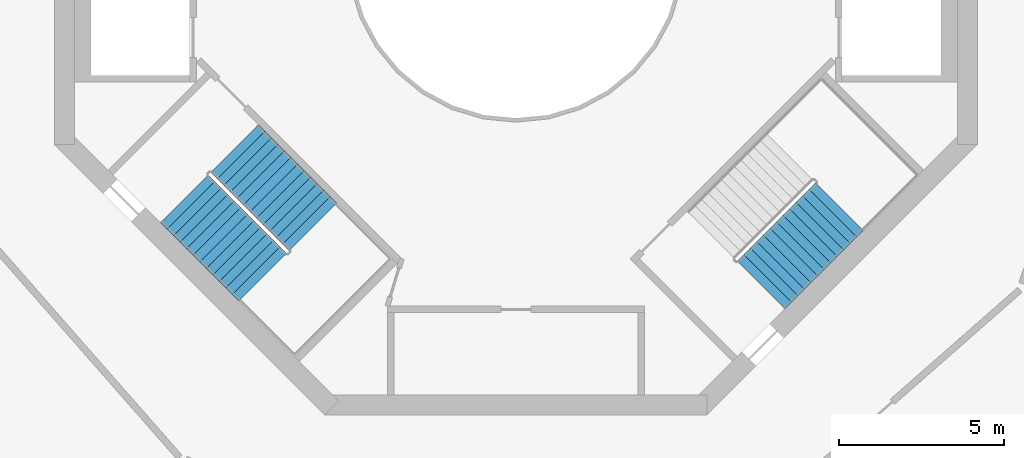
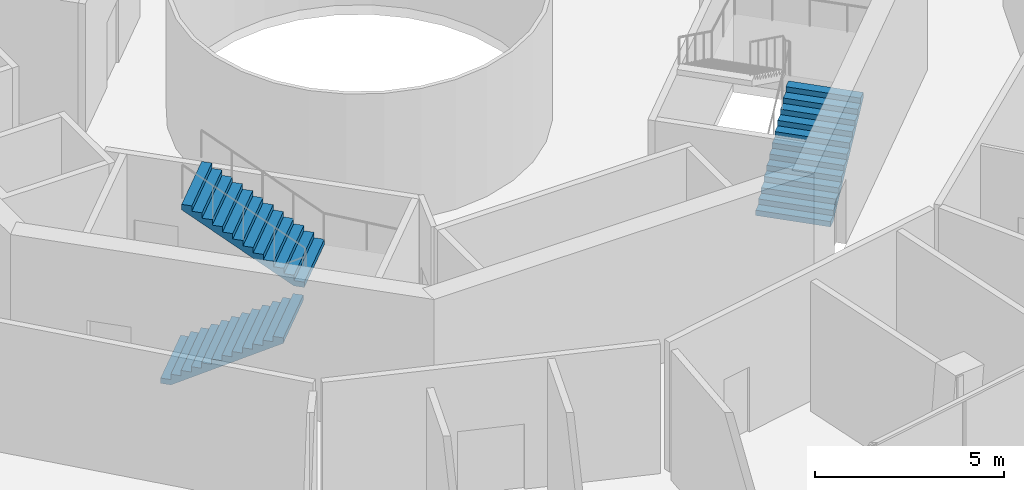
# One storey, part 15 of 17: 3 stair flights, 2 elements without a shape of their own.
"""IFC4 building model written with IfcOpenShell, lengths in metres."""

from ifc_helpers import new_model, si_unit, direction, frame, origin, place, context, subcontext, project, spatial, triangles, material, type_object, element, aggregate, save


model = new_model("IFC4")

# Units and contexts
model_context = context("Model", 3, precision=1e-05, world=origin(), true_north=direction((0.0, 1.0)))
body_context = subcontext(model_context, "Body", "Model", "MODEL_VIEW")
ifc_project = project(units=[si_unit("LENGTHUNIT", "METRE"), si_unit("AREAUNIT", "SQUARE_METRE"), si_unit("VOLUMEUNIT", "CUBIC_METRE"), si_unit("PLANEANGLEUNIT", "RADIAN"), si_unit("MASSUNIT", "GRAM", prefix="KILO")], contexts=[model_context])

# Site, building, storey
site_placement = place(None, origin())
site = spatial("IfcSite", under=ifc_project, at=site_placement, CompositionType="ELEMENT")
building_placement = place(site_placement, origin())
building = spatial("IfcBuilding", under=site, at=building_placement, Name="Verdalira Terraces Hotel", CompositionType="ELEMENT")
storey_placement = place(building_placement, frame((0.0, 0.0, 201.0)))
storey = spatial("IfcBuildingStorey", under=building, at=storey_placement, Name="L49", CompositionType="ELEMENT", Elevation=201.0)

# Stair, stair flights
ifc_material_1 = material(Name="Concrete C40", Category="concrete")
stair_type = type_object("IfcStairType", Name="Core stair 26 risers 2050 mm wide", PredefinedType="HALF_TURN_STAIR", material=ifc_material_1)
stair_1_placement = place(storey_placement, origin())
stair_1 = element("IfcStair", 1, at=stair_1_placement, inside=storey, type_object=stair_type, Name="L49 Exit stair ST2", PredefinedType="HALF_TURN_STAIR")
ifc_material_2 = material(Name="Concrete C40", Category="concrete")
stair_flight_type = type_object("IfcStairFlightType", Name="Core stair flight 26 risers 2050 mm wide", PredefinedType="STRAIGHT", material=ifc_material_2)
stair_flight_1_placement = place(storey_placement, frame((-10.058594, -7.442383, 0.0), z_axis=(0.0, 0.0, 1.0), x_axis=(0.707106781, -0.707106781, 0.0)))
stair_flight_1 = element("IfcStairFlight", 2, at=stair_flight_1_placement, type_object=stair_flight_type, Name="ST2 flight 1", NumberOfRisers=13, NumberOfTreads=12, PredefinedType="STRAIGHT", RiserHeight=0.173076923, TreadLength=0.28, context=body_context, shape_type="Tessellation", body=[
    triangles([(0.0, 1.025024, 0.0), (0.285156, 1.025024, 0.0), (3.360107, 1.025024, 1.900635), (0.0, -1.025024, 0.0), (0.285156, -1.025024, 0.0), (3.360107, -1.025024, 1.900635), (3.360107, 1.025024, 2.076904), (3.080078, 1.025024, 2.076904), (3.360107, -1.025024, 2.076904), (3.080078, -1.025024, 2.076904), (3.080078, 1.025024, 1.903809), (3.080078, -1.025024, 1.903809), (2.800049, 1.025024, 1.903809), (2.800049, -1.025024, 1.903809), (2.800049, 1.025024, 1.730713), (2.800049, -1.025024, 1.730713), (2.52002, 1.025024, 1.730713), (2.52002, 1.025024, 1.557617), (2.52002, -1.025024, 1.730713), (2.52002, -1.025024, 1.557617), (2.23999, 1.025024, 1.557617), (2.23999, 1.025024, 1.384521), (2.23999, -1.025024, 1.557617), (2.23999, -1.025024, 1.384521), (1.959961, 1.025024, 1.384521), (1.959961, 1.025024, 1.211426), (1.959961, -1.025024, 1.384521), (1.959961, -1.025024, 1.211426), (1.679932, 1.025024, 1.211426), (1.679932, 1.025024, 1.038574), (1.679932, -1.025024, 1.211426), (1.679932, -1.025024, 1.038574), (1.399902, 1.025024, 1.038574), (1.399902, 1.025024, 0.865479), (1.399902, -1.025024, 1.038574), (1.399902, -1.025024, 0.865479), (1.120117, 1.025024, 0.865479), (1.120117, 1.025024, 0.692383), (1.120117, -1.025024, 0.865479), (1.120117, -1.025024, 0.692383), (0.840088, 1.025024, 0.692383), (0.840088, 1.025024, 0.519287), (0.840088, -1.025024, 0.692383), (0.840088, -1.025024, 0.519287), (0.560059, 1.025024, 0.519287), (0.560059, 1.025024, 0.346191), (0.560059, -1.025024, 0.519287), (0.560059, -1.025024, 0.346191), (0.280029, 1.025024, 0.346191), (0.280029, 1.025024, 0.173096), (0.280029, -1.025024, 0.346191), (0.280029, -1.025024, 0.173096), (0.0, 1.025024, 0.173096), (0.0, -1.025024, 0.173096), (0.0, -0.96096, 0.0), (0.0, -0.96096, 0.173096), (0.0, -0.896896, 0.0), (0.0, -0.896896, 0.173096), (0.0, -0.832832, 0.0), (0.0, -0.832832, 0.173096), (0.0, -0.768768, 0.0), (0.0, -0.768768, 0.173096), (0.0, -0.704704, 0.0), (0.0, -0.704704, 0.173096), (0.0, -0.64064, 0.0), (0.0, -0.64064, 0.173096), (0.0, -0.576576, 0.0), (0.0, -0.576576, 0.173096), (0.0, -0.512512, 0.0), (0.0, -0.512512, 0.173096), (0.0, -0.448448, 0.0), (0.0, -0.448448, 0.173096), (0.0, -0.384384, 0.0), (0.0, -0.384384, 0.173096), (0.0, -0.32032, 0.0), (0.0, -0.32032, 0.173096), (0.0, -0.256256, 0.0), (0.0, -0.256256, 0.173096), (0.0, -0.192192, 0.0), (0.0, -0.192192, 0.173096), (0.0, -0.128128, 0.0), (0.0, -0.128128, 0.173096), (0.0, -0.064064, 0.0), (0.0, -0.064064, 0.173096), (0.0, 0.0, 0.0), (0.0, 0.0, 0.173096), (0.0, 0.064064, 0.0), (0.0, 0.064064, 0.173096), (0.0, 0.128128, 0.0), (0.0, 0.128128, 0.173096), (0.0, 0.192192, 0.0), (0.0, 0.192192, 0.173096), (0.0, 0.256256, 0.0), (0.0, 0.256256, 0.173096), (0.0, 0.32032, 0.0), (0.0, 0.32032, 0.173096), (0.0, 0.384384, 0.0), (0.0, 0.384384, 0.173096), (0.0, 0.448448, 0.0), (0.0, 0.448448, 0.173096), (0.0, 0.512512, 0.0), (0.0, 0.512512, 0.173096), (0.0, 0.576576, 0.0), (0.0, 0.576576, 0.173096), (0.0, 0.64064, 0.0), (0.0, 0.64064, 0.173096), (0.0, 0.704704, 0.0), (0.0, 0.704704, 0.173096), (0.0, 0.768768, 0.0), (0.0, 0.768768, 0.173096), (0.0, 0.832832, 0.0), (0.0, 0.832832, 0.173096), (0.0, 0.896896, 0.0), (0.0, 0.896896, 0.173096), (0.0, 0.96096, 0.0), (0.0, 0.96096, 0.173096), (3.360107, -0.96096, 2.076904), (3.360107, -0.896896, 2.076904), (3.360107, -0.832832, 2.076904), (3.360107, -0.768768, 2.076904), (3.360107, -0.704704, 2.076904), (3.360107, -0.64064, 2.076904), (3.360107, -0.576576, 2.076904), (3.360107, -0.512512, 2.076904), (3.360107, -0.448448, 2.076904), (3.360107, -0.384384, 2.076904), (3.360107, -0.32032, 2.076904), (3.360107, -0.256256, 2.076904), (3.360107, -0.192192, 2.076904), (3.360107, -0.128128, 2.076904), (3.360107, -0.064064, 2.076904), (3.360107, 0.0, 2.076904), (3.360107, 0.064064, 2.076904), (3.360107, 0.128128, 2.076904), (3.360107, 0.192192, 2.076904), (3.360107, 0.256256, 2.076904), (3.360107, 0.32032, 2.076904), (3.360107, 0.384384, 2.076904), (3.360107, 0.448448, 2.076904), (3.360107, 0.512512, 2.076904), (3.360107, 0.576576, 2.076904), (3.360107, 0.64064, 2.076904), (3.360107, 0.704704, 2.076904), (3.360107, 0.768768, 2.076904), (3.360107, 0.832832, 2.076904), (3.360107, 0.896896, 2.076904), (3.360107, 0.96096, 2.076904), (3.360107, -0.96096, 1.900635), (3.360107, -0.896896, 1.900635), (3.360107, -0.832832, 1.900635), (3.360107, -0.768768, 1.900635), (3.360107, -0.704704, 1.900635), (3.360107, -0.64064, 1.900635), (3.360107, -0.576576, 1.900635), (3.360107, -0.512512, 1.900635), (3.360107, -0.448448, 1.900635), (3.360107, -0.384384, 1.900635), (3.360107, -0.32032, 1.900635), (3.360107, -0.256256, 1.900635), (3.360107, -0.192192, 1.900635), (3.360107, -0.128128, 1.900635), (3.360107, -0.064064, 1.900635), (3.360107, 0.0, 1.900635), (3.360107, 0.064064, 1.900635), (3.360107, 0.128128, 1.900635), (3.360107, 0.192192, 1.900635), (3.360107, 0.256256, 1.900635), (3.360107, 0.32032, 1.900635), (3.360107, 0.384384, 1.900635), (3.360107, 0.448448, 1.900635), (3.360107, 0.512512, 1.900635), (3.360107, 0.576576, 1.900635), (3.360107, 0.64064, 1.900635), (3.360107, 0.704704, 1.900635), (3.360107, 0.768768, 1.900635), (3.360107, 0.832832, 1.900635), (3.360107, 0.896896, 1.900635), (3.360107, 0.96096, 1.900635)], [[1, 3, 2], [4, 5, 6], [3, 8, 7], [6, 9, 10], [3, 11, 8], [6, 10, 12], [3, 13, 11], [6, 12, 14], [3, 15, 13], [6, 14, 16], [15, 18, 17], [16, 19, 20], [3, 18, 15], [6, 16, 20], [18, 22, 21], [20, 23, 24], [3, 22, 18], [6, 20, 24], [22, 26, 25], [24, 27, 28], [3, 26, 22], [6, 24, 28], [1, 26, 3], [4, 6, 28], [26, 30, 29], [28, 31, 32], [30, 34, 33], [32, 35, 36], [26, 34, 30], [28, 32, 36], [34, 38, 37], [36, 39, 40], [26, 38, 34], [28, 36, 40], [38, 42, 41], [40, 43, 44], [26, 42, 38], [28, 40, 44], [42, 46, 45], [44, 47, 48], [26, 46, 42], [28, 44, 48], [46, 50, 49], [48, 51, 52], [26, 50, 46], [28, 48, 52], [1, 50, 26], [4, 28, 52], [50, 1, 53], [52, 54, 4], [4, 56, 55], [4, 54, 56], [55, 58, 57], [55, 56, 58], [57, 60, 59], [57, 58, 60], [59, 62, 61], [59, 60, 62], [61, 64, 63], [61, 62, 64], [63, 66, 65], [63, 64, 66], [65, 68, 67], [65, 66, 68], [67, 70, 69], [67, 68, 70], [69, 72, 71], [69, 70, 72], [71, 74, 73], [71, 72, 74], [73, 76, 75], [73, 74, 76], [75, 78, 77], [75, 76, 78], [77, 80, 79], [77, 78, 80], [79, 82, 81], [79, 80, 82], [81, 84, 83], [81, 82, 84], [83, 86, 85], [83, 84, 86], [85, 88, 87], [85, 86, 88], [87, 90, 89], [87, 88, 90], [89, 92, 91], [89, 90, 92], [91, 94, 93], [91, 92, 94], [93, 96, 95], [93, 94, 96], [95, 98, 97], [95, 96, 98], [97, 100, 99], [97, 98, 100], [99, 102, 101], [99, 100, 102], [101, 104, 103], [101, 102, 104], [103, 106, 105], [103, 104, 106], [105, 108, 107], [105, 106, 108], [107, 110, 109], [107, 108, 110], [109, 112, 111], [109, 110, 112], [111, 114, 113], [111, 112, 114], [113, 116, 115], [113, 114, 116], [115, 53, 1], [115, 116, 53], [54, 52, 56], [56, 52, 58], [58, 52, 60], [60, 52, 62], [62, 52, 64], [64, 52, 66], [66, 52, 68], [68, 52, 70], [70, 52, 72], [72, 52, 74], [74, 52, 76], [76, 52, 78], [78, 52, 80], [80, 52, 82], [82, 52, 84], [84, 52, 86], [86, 52, 88], [88, 52, 90], [90, 52, 92], [92, 52, 94], [94, 52, 96], [96, 52, 98], [98, 52, 100], [100, 52, 102], [102, 52, 104], [104, 52, 106], [106, 52, 108], [108, 52, 110], [110, 52, 112], [112, 52, 114], [114, 52, 116], [116, 52, 53], [53, 52, 50], [52, 49, 50], [52, 51, 49], [51, 46, 49], [51, 48, 46], [48, 45, 46], [48, 47, 45], [47, 42, 45], [47, 44, 42], [44, 41, 42], [44, 43, 41], [43, 38, 41], [43, 40, 38], [40, 37, 38], [40, 39, 37], [39, 34, 37], [39, 36, 34], [36, 33, 34], [36, 35, 33], [35, 30, 33], [35, 32, 30], [32, 29, 30], [32, 31, 29], [31, 26, 29], [31, 28, 26], [28, 25, 26], [28, 27, 25], [27, 22, 25], [27, 24, 22], [24, 21, 22], [24, 23, 21], [23, 18, 21], [23, 20, 18], [20, 17, 18], [20, 19, 17], [19, 15, 17], [19, 16, 15], [16, 13, 15], [16, 14, 13], [14, 11, 13], [14, 12, 11], [12, 8, 11], [12, 10, 8], [9, 117, 10], [117, 118, 10], [118, 119, 10], [119, 120, 10], [120, 121, 10], [121, 122, 10], [122, 123, 10], [123, 124, 10], [124, 125, 10], [125, 126, 10], [126, 127, 10], [127, 128, 10], [128, 129, 10], [129, 130, 10], [130, 131, 10], [131, 132, 10], [132, 133, 10], [133, 134, 10], [134, 135, 10], [135, 136, 10], [136, 137, 10], [137, 138, 10], [138, 139, 10], [139, 140, 10], [140, 141, 10], [141, 142, 10], [142, 143, 10], [143, 144, 10], [144, 145, 10], [145, 146, 10], [146, 147, 10], [147, 7, 10], [7, 8, 10], [9, 148, 117], [9, 6, 148], [117, 149, 118], [117, 148, 149], [118, 150, 119], [118, 149, 150], [119, 151, 120], [119, 150, 151], [120, 152, 121], [120, 151, 152], [121, 153, 122], [121, 152, 153], [122, 154, 123], [122, 153, 154], [123, 155, 124], [123, 154, 155], [124, 156, 125], [124, 155, 156], [125, 157, 126], [125, 156, 157], [126, 158, 127], [126, 157, 158], [127, 159, 128], [127, 158, 159], [128, 160, 129], [128, 159, 160], [129, 161, 130], [129, 160, 161], [130, 162, 131], [130, 161, 162], [131, 163, 132], [131, 162, 163], [132, 164, 133], [132, 163, 164], [133, 165, 134], [133, 164, 165], [134, 166, 135], [134, 165, 166], [135, 167, 136], [135, 166, 167], [136, 168, 137], [136, 167, 168], [137, 169, 138], [137, 168, 169], [138, 170, 139], [138, 169, 170], [139, 171, 140], [139, 170, 171], [140, 172, 141], [140, 171, 172], [141, 173, 142], [141, 172, 173], [142, 174, 143], [142, 173, 174], [143, 175, 144], [143, 174, 175], [144, 176, 145], [144, 175, 176], [145, 177, 146], [145, 176, 177], [146, 178, 147], [146, 177, 178], [147, 3, 7], [147, 178, 3], [6, 5, 148], [148, 5, 149], [149, 5, 150], [150, 5, 151], [151, 5, 152], [152, 5, 153], [153, 5, 154], [154, 5, 155], [155, 5, 156], [156, 5, 157], [157, 5, 158], [158, 5, 159], [159, 5, 160], [160, 5, 161], [161, 5, 162], [162, 5, 163], [163, 5, 164], [164, 5, 165], [165, 5, 166], [166, 5, 167], [167, 5, 168], [168, 5, 169], [169, 5, 170], [170, 5, 171], [171, 5, 172], [172, 5, 173], [173, 5, 174], [174, 5, 175], [175, 5, 176], [176, 5, 177], [177, 5, 178], [178, 5, 3], [3, 5, 2], [4, 55, 5], [55, 57, 5], [57, 59, 5], [59, 61, 5], [61, 63, 5], [63, 65, 5], [65, 67, 5], [67, 69, 5], [69, 71, 5], [71, 73, 5], [73, 75, 5], [75, 77, 5], [77, 79, 5], [79, 81, 5], [81, 83, 5], [83, 85, 5], [85, 87, 5], [87, 89, 5], [89, 91, 5], [91, 93, 5], [93, 95, 5], [95, 97, 5], [97, 99, 5], [99, 101, 5], [101, 103, 5], [103, 105, 5], [105, 107, 5], [107, 109, 5], [109, 111, 5], [111, 113, 5], [113, 115, 5], [115, 1, 5], [1, 2, 5]], closed=True),
])
stair_flight_2_placement = place(storey_placement, frame((-6.162354, -8.297852, 2.25), z_axis=(0.0, 0.0, 1.0), x_axis=(-0.707106781, 0.707106781, 0.0)))
stair_flight_2 = element("IfcStairFlight", 3, at=stair_flight_2_placement, type_object=stair_flight_type, Name="ST2 flight 2", NumberOfRisers=13, NumberOfTreads=12, PredefinedType="STRAIGHT", RiserHeight=0.173076923, TreadLength=0.28, context=body_context, shape_type="Tessellation", body=[
    triangles([(0.0, 1.025024, 0.0), (0.285156, 1.025024, 0.0), (3.360107, 1.025024, 1.900635), (0.0, -1.025024, 0.0), (0.285156, -1.025024, 0.0), (3.360107, -1.025024, 1.900635), (3.360107, 1.025024, 2.076904), (3.080078, 1.025024, 2.076904), (3.360107, -1.025024, 2.076904), (3.080078, -1.025024, 2.076904), (3.080078, 1.025024, 1.903809), (3.080078, -1.025024, 1.903809), (2.800049, 1.025024, 1.903809), (2.800049, -1.025024, 1.903809), (2.800049, 1.025024, 1.730713), (2.800049, -1.025024, 1.730713), (2.52002, 1.025024, 1.730713), (2.52002, 1.025024, 1.557617), (2.52002, -1.025024, 1.730713), (2.52002, -1.025024, 1.557617), (2.23999, 1.025024, 1.557617), (2.23999, 1.025024, 1.384521), (2.23999, -1.025024, 1.557617), (2.23999, -1.025024, 1.384521), (1.959961, 1.025024, 1.384521), (1.959961, 1.025024, 1.211426), (1.959961, -1.025024, 1.384521), (1.959961, -1.025024, 1.211426), (1.679932, 1.025024, 1.211426), (1.679932, 1.025024, 1.038574), (1.679932, -1.025024, 1.211426), (1.679932, -1.025024, 1.038574), (1.399902, 1.025024, 1.038574), (1.399902, 1.025024, 0.865479), (1.399902, -1.025024, 1.038574), (1.399902, -1.025024, 0.865479), (1.120117, 1.025024, 0.865479), (1.120117, 1.025024, 0.692383), (1.120117, -1.025024, 0.865479), (1.120117, -1.025024, 0.692383), (0.840088, 1.025024, 0.692383), (0.840088, 1.025024, 0.519287), (0.840088, -1.025024, 0.692383), (0.840088, -1.025024, 0.519287), (0.560059, 1.025024, 0.519287), (0.560059, 1.025024, 0.346191), (0.560059, -1.025024, 0.519287), (0.560059, -1.025024, 0.346191), (0.280029, 1.025024, 0.346191), (0.280029, 1.025024, 0.173096), (0.280029, -1.025024, 0.346191), (0.280029, -1.025024, 0.173096), (0.0, 1.025024, 0.173096), (0.0, -1.025024, 0.173096), (0.0, -0.96096, 0.0), (0.0, -0.96096, 0.173096), (0.0, -0.896896, 0.0), (0.0, -0.896896, 0.173096), (0.0, -0.832832, 0.0), (0.0, -0.832832, 0.173096), (0.0, -0.768768, 0.0), (0.0, -0.768768, 0.173096), (0.0, -0.704704, 0.0), (0.0, -0.704704, 0.173096), (0.0, -0.64064, 0.0), (0.0, -0.64064, 0.173096), (0.0, -0.576576, 0.0), (0.0, -0.576576, 0.173096), (0.0, -0.512512, 0.0), (0.0, -0.512512, 0.173096), (0.0, -0.448448, 0.0), (0.0, -0.448448, 0.173096), (0.0, -0.384384, 0.0), (0.0, -0.384384, 0.173096), (0.0, -0.32032, 0.0), (0.0, -0.32032, 0.173096), (0.0, -0.256256, 0.0), (0.0, -0.256256, 0.173096), (0.0, -0.192192, 0.0), (0.0, -0.192192, 0.173096), (0.0, -0.128128, 0.0), (0.0, -0.128128, 0.173096), (0.0, -0.064064, 0.0), (0.0, -0.064064, 0.173096), (0.0, 0.0, 0.0), (0.0, 0.0, 0.173096), (0.0, 0.064064, 0.0), (0.0, 0.064064, 0.173096), (0.0, 0.128128, 0.0), (0.0, 0.128128, 0.173096), (0.0, 0.192192, 0.0), (0.0, 0.192192, 0.173096), (0.0, 0.256256, 0.0), (0.0, 0.256256, 0.173096), (0.0, 0.32032, 0.0), (0.0, 0.32032, 0.173096), (0.0, 0.384384, 0.0), (0.0, 0.384384, 0.173096), (0.0, 0.448448, 0.0), (0.0, 0.448448, 0.173096), (0.0, 0.512512, 0.0), (0.0, 0.512512, 0.173096), (0.0, 0.576576, 0.0), (0.0, 0.576576, 0.173096), (0.0, 0.64064, 0.0), (0.0, 0.64064, 0.173096), (0.0, 0.704704, 0.0), (0.0, 0.704704, 0.173096), (0.0, 0.768768, 0.0), (0.0, 0.768768, 0.173096), (0.0, 0.832832, 0.0), (0.0, 0.832832, 0.173096), (0.0, 0.896896, 0.0), (0.0, 0.896896, 0.173096), (0.0, 0.96096, 0.0), (0.0, 0.96096, 0.173096), (3.360107, -0.96096, 2.076904), (3.360107, -0.896896, 2.076904), (3.360107, -0.832832, 2.076904), (3.360107, -0.768768, 2.076904), (3.360107, -0.704704, 2.076904), (3.360107, -0.64064, 2.076904), (3.360107, -0.576576, 2.076904), (3.360107, -0.512512, 2.076904), (3.360107, -0.448448, 2.076904), (3.360107, -0.384384, 2.076904), (3.360107, -0.32032, 2.076904), (3.360107, -0.256256, 2.076904), (3.360107, -0.192192, 2.076904), (3.360107, -0.128128, 2.076904), (3.360107, -0.064064, 2.076904), (3.360107, 0.0, 2.076904), (3.360107, 0.064064, 2.076904), (3.360107, 0.128128, 2.076904), (3.360107, 0.192192, 2.076904), (3.360107, 0.256256, 2.076904), (3.360107, 0.32032, 2.076904), (3.360107, 0.384384, 2.076904), (3.360107, 0.448448, 2.076904), (3.360107, 0.512512, 2.076904), (3.360107, 0.576576, 2.076904), (3.360107, 0.64064, 2.076904), (3.360107, 0.704704, 2.076904), (3.360107, 0.768768, 2.076904), (3.360107, 0.832832, 2.076904), (3.360107, 0.896896, 2.076904), (3.360107, 0.96096, 2.076904), (3.360107, -0.96096, 1.900635), (3.360107, -0.896896, 1.900635), (3.360107, -0.832832, 1.900635), (3.360107, -0.768768, 1.900635), (3.360107, -0.704704, 1.900635), (3.360107, -0.64064, 1.900635), (3.360107, -0.576576, 1.900635), (3.360107, -0.512512, 1.900635), (3.360107, -0.448448, 1.900635), (3.360107, -0.384384, 1.900635), (3.360107, -0.32032, 1.900635), (3.360107, -0.256256, 1.900635), (3.360107, -0.192192, 1.900635), (3.360107, -0.128128, 1.900635), (3.360107, -0.064064, 1.900635), (3.360107, 0.0, 1.900635), (3.360107, 0.064064, 1.900635), (3.360107, 0.128128, 1.900635), (3.360107, 0.192192, 1.900635), (3.360107, 0.256256, 1.900635), (3.360107, 0.32032, 1.900635), (3.360107, 0.384384, 1.900635), (3.360107, 0.448448, 1.900635), (3.360107, 0.512512, 1.900635), (3.360107, 0.576576, 1.900635), (3.360107, 0.64064, 1.900635), (3.360107, 0.704704, 1.900635), (3.360107, 0.768768, 1.900635), (3.360107, 0.832832, 1.900635), (3.360107, 0.896896, 1.900635), (3.360107, 0.96096, 1.900635)], [[1, 3, 2], [4, 5, 6], [3, 8, 7], [6, 9, 10], [3, 11, 8], [6, 10, 12], [3, 13, 11], [6, 12, 14], [3, 15, 13], [6, 14, 16], [15, 18, 17], [16, 19, 20], [3, 18, 15], [6, 16, 20], [18, 22, 21], [20, 23, 24], [3, 22, 18], [6, 20, 24], [22, 26, 25], [24, 27, 28], [3, 26, 22], [6, 24, 28], [1, 26, 3], [4, 6, 28], [26, 30, 29], [28, 31, 32], [30, 34, 33], [32, 35, 36], [26, 34, 30], [28, 32, 36], [34, 38, 37], [36, 39, 40], [26, 38, 34], [28, 36, 40], [38, 42, 41], [40, 43, 44], [26, 42, 38], [28, 40, 44], [42, 46, 45], [44, 47, 48], [26, 46, 42], [28, 44, 48], [46, 50, 49], [48, 51, 52], [26, 50, 46], [28, 48, 52], [1, 50, 26], [4, 28, 52], [50, 1, 53], [52, 54, 4], [4, 56, 55], [4, 54, 56], [55, 58, 57], [55, 56, 58], [57, 60, 59], [57, 58, 60], [59, 62, 61], [59, 60, 62], [61, 64, 63], [61, 62, 64], [63, 66, 65], [63, 64, 66], [65, 68, 67], [65, 66, 68], [67, 70, 69], [67, 68, 70], [69, 72, 71], [69, 70, 72], [71, 74, 73], [71, 72, 74], [73, 76, 75], [73, 74, 76], [75, 78, 77], [75, 76, 78], [77, 80, 79], [77, 78, 80], [79, 82, 81], [79, 80, 82], [81, 84, 83], [81, 82, 84], [83, 86, 85], [83, 84, 86], [85, 88, 87], [85, 86, 88], [87, 90, 89], [87, 88, 90], [89, 92, 91], [89, 90, 92], [91, 94, 93], [91, 92, 94], [93, 96, 95], [93, 94, 96], [95, 98, 97], [95, 96, 98], [97, 100, 99], [97, 98, 100], [99, 102, 101], [99, 100, 102], [101, 104, 103], [101, 102, 104], [103, 106, 105], [103, 104, 106], [105, 108, 107], [105, 106, 108], [107, 110, 109], [107, 108, 110], [109, 112, 111], [109, 110, 112], [111, 114, 113], [111, 112, 114], [113, 116, 115], [113, 114, 116], [115, 53, 1], [115, 116, 53], [54, 52, 56], [56, 52, 58], [58, 52, 60], [60, 52, 62], [62, 52, 64], [64, 52, 66], [66, 52, 68], [68, 52, 70], [70, 52, 72], [72, 52, 74], [74, 52, 76], [76, 52, 78], [78, 52, 80], [80, 52, 82], [82, 52, 84], [84, 52, 86], [86, 52, 88], [88, 52, 90], [90, 52, 92], [92, 52, 94], [94, 52, 96], [96, 52, 98], [98, 52, 100], [100, 52, 102], [102, 52, 104], [104, 52, 106], [106, 52, 108], [108, 52, 110], [110, 52, 112], [112, 52, 114], [114, 52, 116], [116, 52, 53], [53, 52, 50], [52, 49, 50], [52, 51, 49], [51, 46, 49], [51, 48, 46], [48, 45, 46], [48, 47, 45], [47, 42, 45], [47, 44, 42], [44, 41, 42], [44, 43, 41], [43, 38, 41], [43, 40, 38], [40, 37, 38], [40, 39, 37], [39, 34, 37], [39, 36, 34], [36, 33, 34], [36, 35, 33], [35, 30, 33], [35, 32, 30], [32, 29, 30], [32, 31, 29], [31, 26, 29], [31, 28, 26], [28, 25, 26], [28, 27, 25], [27, 22, 25], [27, 24, 22], [24, 21, 22], [24, 23, 21], [23, 18, 21], [23, 20, 18], [20, 17, 18], [20, 19, 17], [19, 15, 17], [19, 16, 15], [16, 13, 15], [16, 14, 13], [14, 11, 13], [14, 12, 11], [12, 8, 11], [12, 10, 8], [9, 117, 10], [117, 118, 10], [118, 119, 10], [119, 120, 10], [120, 121, 10], [121, 122, 10], [122, 123, 10], [123, 124, 10], [124, 125, 10], [125, 126, 10], [126, 127, 10], [127, 128, 10], [128, 129, 10], [129, 130, 10], [130, 131, 10], [131, 132, 10], [132, 133, 10], [133, 134, 10], [134, 135, 10], [135, 136, 10], [136, 137, 10], [137, 138, 10], [138, 139, 10], [139, 140, 10], [140, 141, 10], [141, 142, 10], [142, 143, 10], [143, 144, 10], [144, 145, 10], [145, 146, 10], [146, 147, 10], [147, 7, 10], [7, 8, 10], [9, 148, 117], [9, 6, 148], [117, 149, 118], [117, 148, 149], [118, 150, 119], [118, 149, 150], [119, 151, 120], [119, 150, 151], [120, 152, 121], [120, 151, 152], [121, 153, 122], [121, 152, 153], [122, 154, 123], [122, 153, 154], [123, 155, 124], [123, 154, 155], [124, 156, 125], [124, 155, 156], [125, 157, 126], [125, 156, 157], [126, 158, 127], [126, 157, 158], [127, 159, 128], [127, 158, 159], [128, 160, 129], [128, 159, 160], [129, 161, 130], [129, 160, 161], [130, 162, 131], [130, 161, 162], [131, 163, 132], [131, 162, 163], [132, 164, 133], [132, 163, 164], [133, 165, 134], [133, 164, 165], [134, 166, 135], [134, 165, 166], [135, 167, 136], [135, 166, 167], [136, 168, 137], [136, 167, 168], [137, 169, 138], [137, 168, 169], [138, 170, 139], [138, 169, 170], [139, 171, 140], [139, 170, 171], [140, 172, 141], [140, 171, 172], [141, 173, 142], [141, 172, 173], [142, 174, 143], [142, 173, 174], [143, 175, 144], [143, 174, 175], [144, 176, 145], [144, 175, 176], [145, 177, 146], [145, 176, 177], [146, 178, 147], [146, 177, 178], [147, 3, 7], [147, 178, 3], [6, 5, 148], [148, 5, 149], [149, 5, 150], [150, 5, 151], [151, 5, 152], [152, 5, 153], [153, 5, 154], [154, 5, 155], [155, 5, 156], [156, 5, 157], [157, 5, 158], [158, 5, 159], [159, 5, 160], [160, 5, 161], [161, 5, 162], [162, 5, 163], [163, 5, 164], [164, 5, 165], [165, 5, 166], [166, 5, 167], [167, 5, 168], [168, 5, 169], [169, 5, 170], [170, 5, 171], [171, 5, 172], [172, 5, 173], [173, 5, 174], [174, 5, 175], [175, 5, 176], [176, 5, 177], [177, 5, 178], [178, 5, 3], [3, 5, 2], [4, 55, 5], [55, 57, 5], [57, 59, 5], [59, 61, 5], [61, 63, 5], [63, 65, 5], [65, 67, 5], [67, 69, 5], [69, 71, 5], [71, 73, 5], [73, 75, 5], [75, 77, 5], [77, 79, 5], [79, 81, 5], [81, 83, 5], [83, 85, 5], [85, 87, 5], [87, 89, 5], [89, 91, 5], [91, 93, 5], [93, 95, 5], [95, 97, 5], [97, 99, 5], [99, 101, 5], [101, 103, 5], [103, 105, 5], [105, 107, 5], [107, 109, 5], [109, 111, 5], [111, 113, 5], [113, 115, 5], [115, 1, 5], [1, 2, 5]], closed=True),
])
aggregate(stair_1, [stair_flight_1, stair_flight_2])

# Stair, stair flight
stair_2_placement = place(storey_placement, origin())
stair_2 = element("IfcStair", 4, at=stair_2_placement, inside=storey, type_object=stair_type, Name="L49 Exit stair ST3", PredefinedType="HALF_TURN_STAIR")
stair_flight_3_placement = place(storey_placement, frame((7.442383, -10.058594, 0.0), z_axis=(0.0, 0.0, 1.0), x_axis=(0.707106781, 0.707106781, 0.0)))
stair_flight_3 = element("IfcStairFlight", 5, at=stair_flight_3_placement, type_object=stair_flight_type, Name="ST3 flight 1", NumberOfRisers=13, NumberOfTreads=12, PredefinedType="STRAIGHT", RiserHeight=0.173076923, TreadLength=0.28, context=body_context, shape_type="Tessellation", body=[
    triangles([(0.0, 1.025024, 0.0), (0.285156, 1.025024, 0.0), (3.360107, 1.025024, 1.900635), (0.0, -1.025024, 0.0), (0.285156, -1.025024, 0.0), (3.360107, -1.025024, 1.900635), (3.360107, 1.025024, 2.076904), (3.080078, 1.025024, 2.076904), (3.360107, -1.025024, 2.076904), (3.080078, -1.025024, 2.076904), (3.080078, 1.025024, 1.903809), (3.080078, -1.025024, 1.903809), (2.800049, 1.025024, 1.903809), (2.800049, -1.025024, 1.903809), (2.800049, 1.025024, 1.730713), (2.800049, -1.025024, 1.730713), (2.52002, 1.025024, 1.730713), (2.52002, 1.025024, 1.557617), (2.52002, -1.025024, 1.730713), (2.52002, -1.025024, 1.557617), (2.23999, 1.025024, 1.557617), (2.23999, 1.025024, 1.384521), (2.23999, -1.025024, 1.557617), (2.23999, -1.025024, 1.384521), (1.959961, 1.025024, 1.384521), (1.959961, 1.025024, 1.211426), (1.959961, -1.025024, 1.384521), (1.959961, -1.025024, 1.211426), (1.679932, 1.025024, 1.211426), (1.679932, 1.025024, 1.038574), (1.679932, -1.025024, 1.211426), (1.679932, -1.025024, 1.038574), (1.399902, 1.025024, 1.038574), (1.399902, 1.025024, 0.865479), (1.399902, -1.025024, 1.038574), (1.399902, -1.025024, 0.865479), (1.120117, 1.025024, 0.865479), (1.120117, 1.025024, 0.692383), (1.120117, -1.025024, 0.865479), (1.120117, -1.025024, 0.692383), (0.840088, 1.025024, 0.692383), (0.840088, 1.025024, 0.519287), (0.840088, -1.025024, 0.692383), (0.840088, -1.025024, 0.519287), (0.560059, 1.025024, 0.519287), (0.560059, 1.025024, 0.346191), (0.560059, -1.025024, 0.519287), (0.560059, -1.025024, 0.346191), (0.280029, 1.025024, 0.346191), (0.280029, 1.025024, 0.173096), (0.280029, -1.025024, 0.346191), (0.280029, -1.025024, 0.173096), (0.0, 1.025024, 0.173096), (0.0, -1.025024, 0.173096), (0.0, -0.96096, 0.0), (0.0, -0.96096, 0.173096), (0.0, -0.896896, 0.0), (0.0, -0.896896, 0.173096), (0.0, -0.832832, 0.0), (0.0, -0.832832, 0.173096), (0.0, -0.768768, 0.0), (0.0, -0.768768, 0.173096), (0.0, -0.704704, 0.0), (0.0, -0.704704, 0.173096), (0.0, -0.64064, 0.0), (0.0, -0.64064, 0.173096), (0.0, -0.576576, 0.0), (0.0, -0.576576, 0.173096), (0.0, -0.512512, 0.0), (0.0, -0.512512, 0.173096), (0.0, -0.448448, 0.0), (0.0, -0.448448, 0.173096), (0.0, -0.384384, 0.0), (0.0, -0.384384, 0.173096), (0.0, -0.32032, 0.0), (0.0, -0.32032, 0.173096), (0.0, -0.256256, 0.0), (0.0, -0.256256, 0.173096), (0.0, -0.192192, 0.0), (0.0, -0.192192, 0.173096), (0.0, -0.128128, 0.0), (0.0, -0.128128, 0.173096), (0.0, -0.064064, 0.0), (0.0, -0.064064, 0.173096), (0.0, 0.0, 0.0), (0.0, 0.0, 0.173096), (0.0, 0.064064, 0.0), (0.0, 0.064064, 0.173096), (0.0, 0.128128, 0.0), (0.0, 0.128128, 0.173096), (0.0, 0.192192, 0.0), (0.0, 0.192192, 0.173096), (0.0, 0.256256, 0.0), (0.0, 0.256256, 0.173096), (0.0, 0.32032, 0.0), (0.0, 0.32032, 0.173096), (0.0, 0.384384, 0.0), (0.0, 0.384384, 0.173096), (0.0, 0.448448, 0.0), (0.0, 0.448448, 0.173096), (0.0, 0.512512, 0.0), (0.0, 0.512512, 0.173096), (0.0, 0.576576, 0.0), (0.0, 0.576576, 0.173096), (0.0, 0.64064, 0.0), (0.0, 0.64064, 0.173096), (0.0, 0.704704, 0.0), (0.0, 0.704704, 0.173096), (0.0, 0.768768, 0.0), (0.0, 0.768768, 0.173096), (0.0, 0.832832, 0.0), (0.0, 0.832832, 0.173096), (0.0, 0.896896, 0.0), (0.0, 0.896896, 0.173096), (0.0, 0.96096, 0.0), (0.0, 0.96096, 0.173096), (3.360107, -0.96096, 2.076904), (3.360107, -0.896896, 2.076904), (3.360107, -0.832832, 2.076904), (3.360107, -0.768768, 2.076904), (3.360107, -0.704704, 2.076904), (3.360107, -0.64064, 2.076904), (3.360107, -0.576576, 2.076904), (3.360107, -0.512512, 2.076904), (3.360107, -0.448448, 2.076904), (3.360107, -0.384384, 2.076904), (3.360107, -0.32032, 2.076904), (3.360107, -0.256256, 2.076904), (3.360107, -0.192192, 2.076904), (3.360107, -0.128128, 2.076904), (3.360107, -0.064064, 2.076904), (3.360107, 0.0, 2.076904), (3.360107, 0.064064, 2.076904), (3.360107, 0.128128, 2.076904), (3.360107, 0.192192, 2.076904), (3.360107, 0.256256, 2.076904), (3.360107, 0.32032, 2.076904), (3.360107, 0.384384, 2.076904), (3.360107, 0.448448, 2.076904), (3.360107, 0.512512, 2.076904), (3.360107, 0.576576, 2.076904), (3.360107, 0.64064, 2.076904), (3.360107, 0.704704, 2.076904), (3.360107, 0.768768, 2.076904), (3.360107, 0.832832, 2.076904), (3.360107, 0.896896, 2.076904), (3.360107, 0.96096, 2.076904), (3.360107, -0.96096, 1.900635), (3.360107, -0.896896, 1.900635), (3.360107, -0.832832, 1.900635), (3.360107, -0.768768, 1.900635), (3.360107, -0.704704, 1.900635), (3.360107, -0.64064, 1.900635), (3.360107, -0.576576, 1.900635), (3.360107, -0.512512, 1.900635), (3.360107, -0.448448, 1.900635), (3.360107, -0.384384, 1.900635), (3.360107, -0.32032, 1.900635), (3.360107, -0.256256, 1.900635), (3.360107, -0.192192, 1.900635), (3.360107, -0.128128, 1.900635), (3.360107, -0.064064, 1.900635), (3.360107, 0.0, 1.900635), (3.360107, 0.064064, 1.900635), (3.360107, 0.128128, 1.900635), (3.360107, 0.192192, 1.900635), (3.360107, 0.256256, 1.900635), (3.360107, 0.32032, 1.900635), (3.360107, 0.384384, 1.900635), (3.360107, 0.448448, 1.900635), (3.360107, 0.512512, 1.900635), (3.360107, 0.576576, 1.900635), (3.360107, 0.64064, 1.900635), (3.360107, 0.704704, 1.900635), (3.360107, 0.768768, 1.900635), (3.360107, 0.832832, 1.900635), (3.360107, 0.896896, 1.900635), (3.360107, 0.96096, 1.900635)], [[1, 3, 2], [4, 5, 6], [3, 8, 7], [6, 9, 10], [3, 11, 8], [6, 10, 12], [3, 13, 11], [6, 12, 14], [3, 15, 13], [6, 14, 16], [15, 18, 17], [16, 19, 20], [3, 18, 15], [6, 16, 20], [18, 22, 21], [20, 23, 24], [3, 22, 18], [6, 20, 24], [22, 26, 25], [24, 27, 28], [3, 26, 22], [6, 24, 28], [1, 26, 3], [4, 6, 28], [26, 30, 29], [28, 31, 32], [30, 34, 33], [32, 35, 36], [26, 34, 30], [28, 32, 36], [34, 38, 37], [36, 39, 40], [26, 38, 34], [28, 36, 40], [38, 42, 41], [40, 43, 44], [26, 42, 38], [28, 40, 44], [42, 46, 45], [44, 47, 48], [26, 46, 42], [28, 44, 48], [46, 50, 49], [48, 51, 52], [26, 50, 46], [28, 48, 52], [1, 50, 26], [4, 28, 52], [50, 1, 53], [52, 54, 4], [4, 56, 55], [4, 54, 56], [55, 58, 57], [55, 56, 58], [57, 60, 59], [57, 58, 60], [59, 62, 61], [59, 60, 62], [61, 64, 63], [61, 62, 64], [63, 66, 65], [63, 64, 66], [65, 68, 67], [65, 66, 68], [67, 70, 69], [67, 68, 70], [69, 72, 71], [69, 70, 72], [71, 74, 73], [71, 72, 74], [73, 76, 75], [73, 74, 76], [75, 78, 77], [75, 76, 78], [77, 80, 79], [77, 78, 80], [79, 82, 81], [79, 80, 82], [81, 84, 83], [81, 82, 84], [83, 86, 85], [83, 84, 86], [85, 88, 87], [85, 86, 88], [87, 90, 89], [87, 88, 90], [89, 92, 91], [89, 90, 92], [91, 94, 93], [91, 92, 94], [93, 96, 95], [93, 94, 96], [95, 98, 97], [95, 96, 98], [97, 100, 99], [97, 98, 100], [99, 102, 101], [99, 100, 102], [101, 104, 103], [101, 102, 104], [103, 106, 105], [103, 104, 106], [105, 108, 107], [105, 106, 108], [107, 110, 109], [107, 108, 110], [109, 112, 111], [109, 110, 112], [111, 114, 113], [111, 112, 114], [113, 116, 115], [113, 114, 116], [115, 53, 1], [115, 116, 53], [54, 52, 56], [56, 52, 58], [58, 52, 60], [60, 52, 62], [62, 52, 64], [64, 52, 66], [66, 52, 68], [68, 52, 70], [70, 52, 72], [72, 52, 74], [74, 52, 76], [76, 52, 78], [78, 52, 80], [80, 52, 82], [82, 52, 84], [84, 52, 86], [86, 52, 88], [88, 52, 90], [90, 52, 92], [92, 52, 94], [94, 52, 96], [96, 52, 98], [98, 52, 100], [100, 52, 102], [102, 52, 104], [104, 52, 106], [106, 52, 108], [108, 52, 110], [110, 52, 112], [112, 52, 114], [114, 52, 116], [116, 52, 53], [53, 52, 50], [52, 49, 50], [52, 51, 49], [51, 46, 49], [51, 48, 46], [48, 45, 46], [48, 47, 45], [47, 42, 45], [47, 44, 42], [44, 41, 42], [44, 43, 41], [43, 38, 41], [43, 40, 38], [40, 37, 38], [40, 39, 37], [39, 34, 37], [39, 36, 34], [36, 33, 34], [36, 35, 33], [35, 30, 33], [35, 32, 30], [32, 29, 30], [32, 31, 29], [31, 26, 29], [31, 28, 26], [28, 25, 26], [28, 27, 25], [27, 22, 25], [27, 24, 22], [24, 21, 22], [24, 23, 21], [23, 18, 21], [23, 20, 18], [20, 17, 18], [20, 19, 17], [19, 15, 17], [19, 16, 15], [16, 13, 15], [16, 14, 13], [14, 11, 13], [14, 12, 11], [12, 8, 11], [12, 10, 8], [9, 117, 10], [117, 118, 10], [118, 119, 10], [119, 120, 10], [120, 121, 10], [121, 122, 10], [122, 123, 10], [123, 124, 10], [124, 125, 10], [125, 126, 10], [126, 127, 10], [127, 128, 10], [128, 129, 10], [129, 130, 10], [130, 131, 10], [131, 132, 10], [132, 133, 10], [133, 134, 10], [134, 135, 10], [135, 136, 10], [136, 137, 10], [137, 138, 10], [138, 139, 10], [139, 140, 10], [140, 141, 10], [141, 142, 10], [142, 143, 10], [143, 144, 10], [144, 145, 10], [145, 146, 10], [146, 147, 10], [147, 7, 10], [7, 8, 10], [9, 148, 117], [9, 6, 148], [117, 149, 118], [117, 148, 149], [118, 150, 119], [118, 149, 150], [119, 151, 120], [119, 150, 151], [120, 152, 121], [120, 151, 152], [121, 153, 122], [121, 152, 153], [122, 154, 123], [122, 153, 154], [123, 155, 124], [123, 154, 155], [124, 156, 125], [124, 155, 156], [125, 157, 126], [125, 156, 157], [126, 158, 127], [126, 157, 158], [127, 159, 128], [127, 158, 159], [128, 160, 129], [128, 159, 160], [129, 161, 130], [129, 160, 161], [130, 162, 131], [130, 161, 162], [131, 163, 132], [131, 162, 163], [132, 164, 133], [132, 163, 164], [133, 165, 134], [133, 164, 165], [134, 166, 135], [134, 165, 166], [135, 167, 136], [135, 166, 167], [136, 168, 137], [136, 167, 168], [137, 169, 138], [137, 168, 169], [138, 170, 139], [138, 169, 170], [139, 171, 140], [139, 170, 171], [140, 172, 141], [140, 171, 172], [141, 173, 142], [141, 172, 173], [142, 174, 143], [142, 173, 174], [143, 175, 144], [143, 174, 175], [144, 176, 145], [144, 175, 176], [145, 177, 146], [145, 176, 177], [146, 178, 147], [146, 177, 178], [147, 3, 7], [147, 178, 3], [6, 5, 148], [148, 5, 149], [149, 5, 150], [150, 5, 151], [151, 5, 152], [152, 5, 153], [153, 5, 154], [154, 5, 155], [155, 5, 156], [156, 5, 157], [157, 5, 158], [158, 5, 159], [159, 5, 160], [160, 5, 161], [161, 5, 162], [162, 5, 163], [163, 5, 164], [164, 5, 165], [165, 5, 166], [166, 5, 167], [167, 5, 168], [168, 5, 169], [169, 5, 170], [170, 5, 171], [171, 5, 172], [172, 5, 173], [173, 5, 174], [174, 5, 175], [175, 5, 176], [176, 5, 177], [177, 5, 178], [178, 5, 3], [3, 5, 2], [4, 55, 5], [55, 57, 5], [57, 59, 5], [59, 61, 5], [61, 63, 5], [63, 65, 5], [65, 67, 5], [67, 69, 5], [69, 71, 5], [71, 73, 5], [73, 75, 5], [75, 77, 5], [77, 79, 5], [79, 81, 5], [81, 83, 5], [83, 85, 5], [85, 87, 5], [87, 89, 5], [89, 91, 5], [91, 93, 5], [93, 95, 5], [95, 97, 5], [97, 99, 5], [99, 101, 5], [101, 103, 5], [103, 105, 5], [105, 107, 5], [107, 109, 5], [109, 111, 5], [111, 113, 5], [113, 115, 5], [115, 1, 5], [1, 2, 5]], closed=True),
])
aggregate(stair_2, [stair_flight_3])

save(model, "model.ifc")
